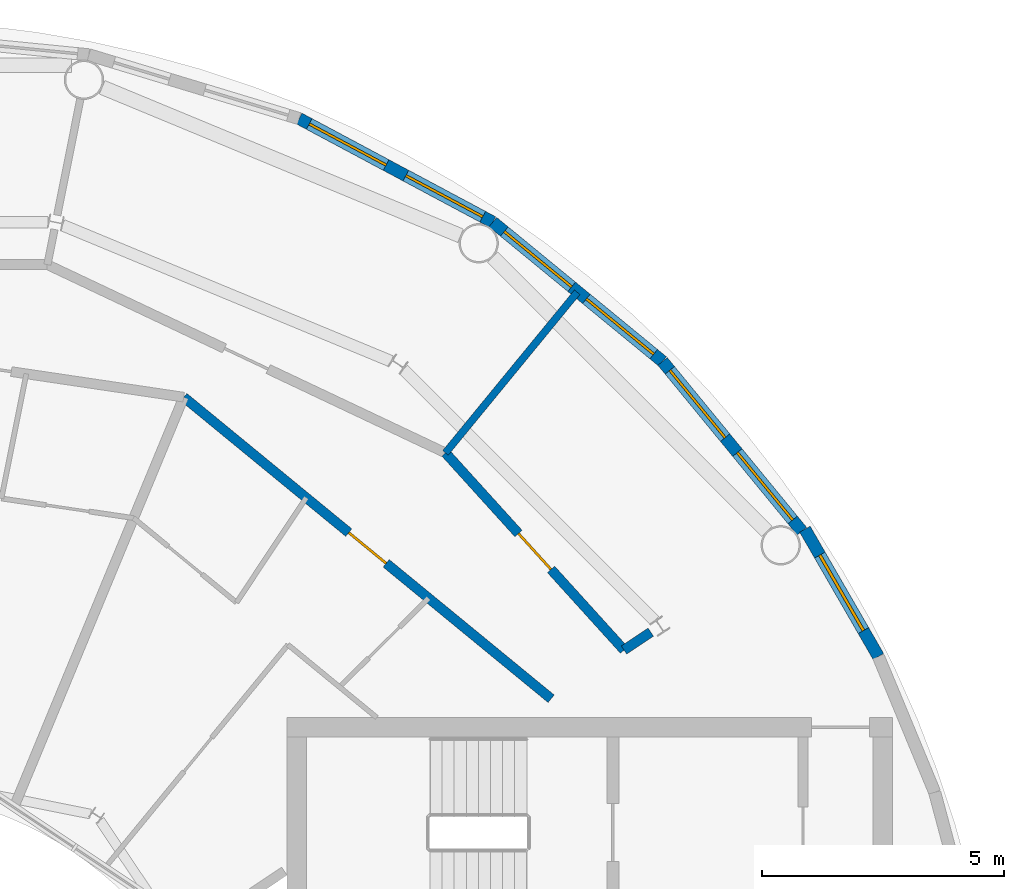
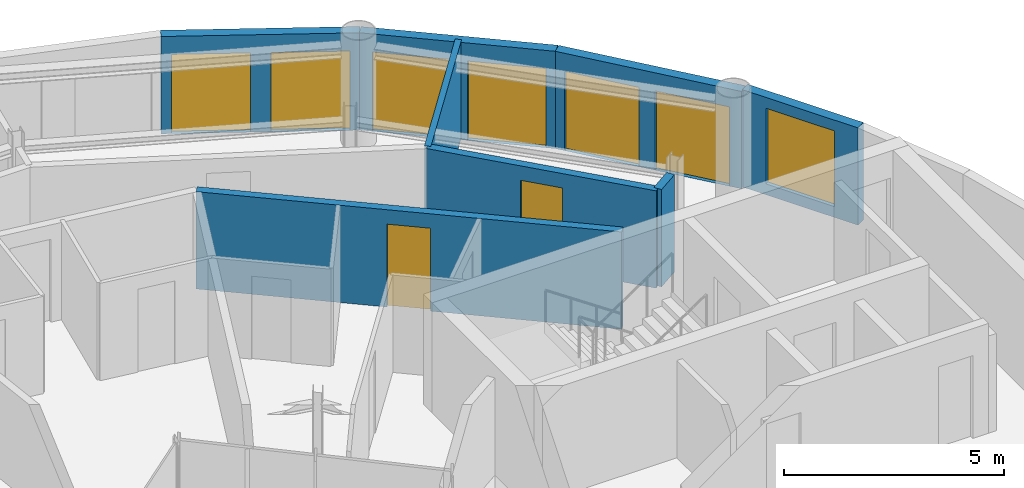
# One storey, part 14 of 17: 8 doors, 8 walls, 1 window, 9 openings.
"""IFC4 building model written with IfcOpenShell, lengths in metres."""

from ifc_helpers import new_model, si_unit, direction, frame, frame_2d, origin, place, context, subcontext, project, spatial, rectangle, extrude, material, layer, layer_set, type_object, element, fill, save


model = new_model("IFC4")

# Units and contexts
model_context = context("Model", 3, precision=1e-05, world=origin(), true_north=direction((0.0, 1.0)))
body_context = subcontext(model_context, "Body", "Model", "MODEL_VIEW")
ifc_project = project(units=[si_unit("LENGTHUNIT", "METRE"), si_unit("AREAUNIT", "SQUARE_METRE"), si_unit("VOLUMEUNIT", "CUBIC_METRE"), si_unit("PLANEANGLEUNIT", "RADIAN"), si_unit("MASSUNIT", "GRAM", prefix="KILO")], contexts=[model_context])

# Site, building, storey
site_placement = place(None, origin())
site = spatial("IfcSite", under=ifc_project, at=site_placement, CompositionType="ELEMENT")
building_placement = place(site_placement, origin())
building = spatial("IfcBuilding", under=site, at=building_placement, Name="Maasbend Ring Residences", CompositionType="ELEMENT")
storey_placement = place(building_placement, frame((0.0, 0.0, 249.300048828125)))
storey = spatial("IfcBuildingStorey", under=building, at=storey_placement, Name="L72", CompositionType="ELEMENT", Elevation=249.300048828125)

# Wall
ifc_material_1 = material(Name="Concrete C30/37", Category="concrete")
ifc_layer_1 = layer(ifc_material_1, 0.199951171875)
ifc_layer_set_1 = layer_set([ifc_layer_1], Name="Concrete C30/37")
wall_type_1 = type_object("IfcWallType", Name="CORRIDOR WALL 200 CONCRETE", PredefinedType="PARTITIONING", material=ifc_layer_set_1)
wall_1_placement = place(storey_placement, frame((15.556884765625, 10.39501953125, 0.0), z_axis=(0.0, 0.0, 1.0), x_axis=(0.831427465951, 0.555633304313, 0.0)))
element("IfcWall", 1, at=wall_1_placement, inside=storey, type_object=wall_type_1, Name="U-L72-w054", PredefinedType="PARTITIONING", context=body_context, shape_type="SweptSolid", body=[
    extrude(rectangle(XDim=0.663818359375, YDim=0.199951171875, at=frame_2d((0.33203125, 0.0))), origin(), (0.0, 0.0, 1.0), 2.699951171875),
])

# Wall, opening, door
wall_2_placement = place(storey_placement, frame((6.469970703125, 15.613037109375, 0.0), z_axis=(0.0, 0.0, 1.0), x_axis=(0.77292501819, -0.634497372931, 0.0)))
wall_2 = element("IfcWall", 2, at=wall_2_placement, inside=storey, type_object=wall_type_1, Name="U-L72-w064", PredefinedType="PARTITIONING", context=body_context, shape_type="SweptSolid", body=[
    extrude(rectangle(XDim=9.8095703125, YDim=0.199951171875, at=frame_2d((4.90478515625, 0.0))), origin(), (0.0, 0.0, 1.0), 2.699951171875),
])
opening_1_placement = place(wall_2_placement, frame((4.404052734375, 0.0, 0.0)))
opening_1 = element("IfcOpeningElement", 3, at=opening_1_placement, cuts=wall_2, Name="Opening D-7211", PredefinedType="OPENING", context=body_context, shape_type="SweptSolid", body=[
    extrude(rectangle(XDim=1.0, YDim=2.300048828125, at=frame_2d((0.5, 1.14990234375))), frame((0.0, 0.10986328125, 0.0), z_axis=(0.0, -1.0, 0.0), x_axis=(1.0, 0.0, 0.0)), (0.0, 0.0, 1.0), 0.219970703125),
])
ifc_material_2 = material(Name="Timber, fire-rated, painted", Category="wood")
door_type_1 = type_object("IfcDoorType", Name="FLAT ENTRANCE DOOR 1000 X 2300 FIRE-RATED", OperationType="NOTDEFINED", PredefinedType="DOOR", material=ifc_material_2)
door_1_placement = place(opening_1_placement, origin())
door_1 = element("IfcDoor", 4, at=door_1_placement, inside=storey, type_object=door_type_1, Name="D-7211", OperationType="SINGLE_SWING_LEFT", OverallHeight=2.300048828125, OverallWidth=1.0, PredefinedType="DOOR", context=body_context, shape_type="SweptSolid", body=[
    extrude(rectangle(XDim=1.0, YDim=2.300048828125, at=frame_2d((0.5, 1.14990234375))), frame((0.0, 0.02490234375, 0.0), z_axis=(0.0, -1.0, 0.0), x_axis=(1.0, 0.0, 0.0)), (0.0, 0.0, 1.0), 0.050048828125),
])
fill(opening_1, door_1)

wall_3_placement = place(storey_placement, frame((11.8701171875, 14.464111328125, 0.0), z_axis=(0.0, 0.0, 1.0), x_axis=(0.671434738137, -0.741063689856, 0.0)))
wall_3 = element("IfcWall", 5, at=wall_3_placement, inside=storey, type_object=wall_type_1, Name="U-L72-w070", PredefinedType="PARTITIONING", context=body_context, shape_type="SweptSolid", body=[
    extrude(rectangle(XDim=5.490966796875, YDim=0.199951171875, at=frame_2d((2.74560546875, 0.0))), origin(), (0.0, 0.0, 1.0), 2.699951171875),
])
opening_2_placement = place(wall_3_placement, frame((2.2451171875, 0.0, 0.0)))
opening_2 = element("IfcOpeningElement", 6, at=opening_2_placement, cuts=wall_3, Name="Opening D-7201", PredefinedType="OPENING", context=body_context, shape_type="SweptSolid", body=[
    extrude(rectangle(XDim=1.0, YDim=2.300048828125, at=frame_2d((0.5, 1.14990234375))), frame((0.0, 0.10986328125, 0.0), z_axis=(0.0, -1.0, 0.0), x_axis=(1.0, 0.0, 0.0)), (0.0, 0.0, 1.0), 0.219970703125),
])
ifc_material_3 = material(Name="Timber, painted", Category="wood")
door_type_2 = type_object("IfcDoorType", Name="ROOM DOOR 1000 X 2300", OperationType="NOTDEFINED", PredefinedType="DOOR", material=ifc_material_3)
door_2_placement = place(opening_2_placement, origin())
door_2 = element("IfcDoor", 7, at=door_2_placement, inside=storey, type_object=door_type_2, Name="D-7201", OperationType="SINGLE_SWING_LEFT", OverallHeight=2.300048828125, OverallWidth=1.0, PredefinedType="DOOR", context=body_context, shape_type="SweptSolid", body=[
    extrude(rectangle(XDim=1.0, YDim=2.300048828125, at=frame_2d((0.5, 1.14990234375))), frame((0.0, 0.02490234375, 0.0), z_axis=(0.0, -1.0, 0.0), x_axis=(1.0, 0.0, 0.0)), (0.0, 0.0, 1.0), 0.050048828125),
])
fill(opening_2, door_2)

# Wall, openings, doors
ifc_material_4 = material(Name="Aluminium clad insulated panel", Category="aluminium")
ifc_layer_2 = layer(ifc_material_4, 0.25)
ifc_layer_set_2 = layer_set([ifc_layer_2], Name="EW-GL")
wall_type_2 = type_object("IfcWallType", Name="EW-GL", PredefinedType="SOLIDWALL", material=ifc_layer_set_2)
wall_4_placement = place(storey_placement, frame((19.22802734375, 12.847900390625, 0.0), z_axis=(0.0, 0.0, 1.0), x_axis=(-0.634418942337, 0.772989395532, 0.0)))
wall_4 = element("IfcWall", 8, at=wall_4_placement, inside=storey, type_object=wall_type_2, Name="External wall N01", PredefinedType="SOLIDWALL", context=body_context, shape_type="SweptSolid", body=[
    extrude(rectangle(XDim=4.533203125, YDim=0.25, at=frame_2d((2.2666015625, 0.0))), origin(), (0.0, 0.0, 1.0), 2.699951171875),
])
opening_3_placement = place(wall_4_placement, frame((0.300048828125, 0.0, 0.0)))
opening_3 = element("IfcOpeningElement", 9, at=opening_3_placement, cuts=wall_4, Name="Opening D-TR", PredefinedType="OPENING", context=body_context, shape_type="SweptSolid", body=[
    extrude(rectangle(XDim=1.800048828125, YDim=2.199951171875, at=frame_2d((0.89990234375, 1.10009765625))), frame((0.0, 0.135009765625, 0.0), z_axis=(0.0, -1.0, 0.0), x_axis=(1.0, 0.0, 0.0)), (0.0, 0.0, 1.0), 0.27001953125),
])
opening_4_placement = place(wall_4_placement, frame((2.497314453125, 0.0, 0.0)))
opening_4 = element("IfcOpeningElement", 10, at=opening_4_placement, cuts=wall_4, Name="Opening D-TR", PredefinedType="OPENING", context=body_context, shape_type="SweptSolid", body=[
    extrude(rectangle(XDim=1.800048828125, YDim=2.199951171875, at=frame_2d((0.89990234375, 1.10009765625))), frame((0.0, 0.135009765625, 0.0), z_axis=(0.0, -1.0, 0.0), x_axis=(1.0, 0.0, 0.0)), (0.0, 0.0, 1.0), 0.27001953125),
])
ifc_material_5 = material(Name="Aluminium and clear glass", Category="aluminium")
door_type_3 = type_object("IfcDoorType", Name="D-TR", OperationType="DOUBLE_DOOR_SINGLE_SWING", PredefinedType="DOOR", material=ifc_material_5)
door_3_placement = place(opening_3_placement, origin())
door_3 = element("IfcDoor", 11, at=door_3_placement, inside=storey, type_object=door_type_3, Name="Terrace door N01", OperationType="SINGLE_SWING_LEFT", OverallHeight=2.199951171875, OverallWidth=1.800048828125, PredefinedType="DOOR", context=body_context, shape_type="SweptSolid", body=[
    extrude(rectangle(XDim=1.800048828125, YDim=2.199951171875, at=frame_2d((0.89990234375, 1.10009765625))), frame((0.0, 0.02490234375, 0.0), z_axis=(0.0, -1.0, 0.0), x_axis=(1.0, 0.0, 0.0)), (0.0, 0.0, 1.0), 0.050048828125),
])
fill(opening_3, door_3)
door_4_placement = place(opening_4_placement, origin())
door_4 = element("IfcDoor", 12, at=door_4_placement, inside=storey, type_object=door_type_3, Name="Terrace door N02", OperationType="SINGLE_SWING_LEFT", OverallHeight=2.199951171875, OverallWidth=1.800048828125, PredefinedType="DOOR", context=body_context, shape_type="SweptSolid", body=[
    extrude(rectangle(XDim=1.800048828125, YDim=2.199951171875, at=frame_2d((0.89990234375, 1.10009765625))), frame((0.0, 0.02490234375, 0.0), z_axis=(0.0, -1.0, 0.0), x_axis=(1.0, 0.0, 0.0)), (0.0, 0.0, 1.0), 0.050048828125),
])
fill(opening_4, door_4)

wall_5_placement = place(storey_placement, frame((16.35205078125, 16.35205078125, 0.0), z_axis=(0.0, 0.0, 1.0), x_axis=(-0.772989395532, 0.634418942337, 0.0)))
wall_5 = element("IfcWall", 13, at=wall_5_placement, inside=storey, type_object=wall_type_2, Name="External wall N02", PredefinedType="SOLIDWALL", context=body_context, shape_type="SweptSolid", body=[
    extrude(rectangle(XDim=4.533203125, YDim=0.25, at=frame_2d((2.2666015625, 0.0))), origin(), (0.0, 0.0, 1.0), 2.699951171875),
])
opening_5_placement = place(wall_5_placement, frame((0.236083984375, 0.0, 0.0)))
opening_5 = element("IfcOpeningElement", 14, at=opening_5_placement, cuts=wall_5, Name="Opening D-TR", PredefinedType="OPENING", context=body_context, shape_type="SweptSolid", body=[
    extrude(rectangle(XDim=1.800048828125, YDim=2.199951171875, at=frame_2d((0.89990234375, 1.10009765625))), frame((0.0, 0.135009765625, 0.0), z_axis=(0.0, -1.0, 0.0), x_axis=(1.0, 0.0, 0.0)), (0.0, 0.0, 1.0), 0.27001953125),
])
opening_6_placement = place(wall_5_placement, frame((2.4267578125, 0.0, 0.0)))
opening_6 = element("IfcOpeningElement", 15, at=opening_6_placement, cuts=wall_5, Name="Opening D-TR", PredefinedType="OPENING", context=body_context, shape_type="SweptSolid", body=[
    extrude(rectangle(XDim=1.800048828125, YDim=2.199951171875, at=frame_2d((0.89990234375, 1.10009765625))), frame((0.0, 0.135009765625, 0.0), z_axis=(0.0, -1.0, 0.0), x_axis=(1.0, 0.0, 0.0)), (0.0, 0.0, 1.0), 0.27001953125),
])
door_5_placement = place(opening_5_placement, origin())
door_5 = element("IfcDoor", 16, at=door_5_placement, inside=storey, type_object=door_type_3, Name="Terrace door N03", OperationType="SINGLE_SWING_LEFT", OverallHeight=2.199951171875, OverallWidth=1.800048828125, PredefinedType="DOOR", context=body_context, shape_type="SweptSolid", body=[
    extrude(rectangle(XDim=1.800048828125, YDim=2.199951171875, at=frame_2d((0.89990234375, 1.10009765625))), frame((0.0, 0.02490234375, 0.0), z_axis=(0.0, -1.0, 0.0), x_axis=(1.0, 0.0, 0.0)), (0.0, 0.0, 1.0), 0.050048828125),
])
fill(opening_5, door_5)
door_6_placement = place(opening_6_placement, origin())
door_6 = element("IfcDoor", 17, at=door_6_placement, inside=storey, type_object=door_type_3, Name="Terrace door N04", OperationType="SINGLE_SWING_LEFT", OverallHeight=2.199951171875, OverallWidth=1.800048828125, PredefinedType="DOOR", context=body_context, shape_type="SweptSolid", body=[
    extrude(rectangle(XDim=1.800048828125, YDim=2.199951171875, at=frame_2d((0.89990234375, 1.10009765625))), frame((0.0, 0.02490234375, 0.0), z_axis=(0.0, -1.0, 0.0), x_axis=(1.0, 0.0, 0.0)), (0.0, 0.0, 1.0), 0.050048828125),
])
fill(opening_6, door_6)

wall_6_placement = place(storey_placement, frame((12.847900390625, 19.22802734375, 0.0), z_axis=(0.0, 0.0, 1.0), x_axis=(-0.881912752543, 0.471412660947, 0.0)))
wall_6 = element("IfcWall", 18, at=wall_6_placement, inside=storey, type_object=wall_type_2, Name="External wall N03", PredefinedType="SOLIDWALL", context=body_context, shape_type="SweptSolid", body=[
    extrude(rectangle(XDim=4.533203125, YDim=0.25, at=frame_2d((2.2666015625, 0.0))), origin(), (0.0, 0.0, 1.0), 2.699951171875),
])
opening_7_placement = place(wall_6_placement, frame((0.236083984375, 0.0, 0.0)))
opening_7 = element("IfcOpeningElement", 19, at=opening_7_placement, cuts=wall_6, Name="Opening D-TR", PredefinedType="OPENING", context=body_context, shape_type="SweptSolid", body=[
    extrude(rectangle(XDim=1.800048828125, YDim=2.199951171875, at=frame_2d((0.89990234375, 1.10009765625))), frame((0.0, 0.135009765625, 0.0), z_axis=(0.0, -1.0, 0.0), x_axis=(1.0, 0.0, 0.0)), (0.0, 0.0, 1.0), 0.27001953125),
])
opening_8_placement = place(wall_6_placement, frame((2.497314453125, 0.0, 0.0)))
opening_8 = element("IfcOpeningElement", 20, at=opening_8_placement, cuts=wall_6, Name="Opening D-TR", PredefinedType="OPENING", context=body_context, shape_type="SweptSolid", body=[
    extrude(rectangle(XDim=1.800048828125, YDim=2.199951171875, at=frame_2d((0.89990234375, 1.10009765625))), frame((0.0, 0.135009765625, 0.0), z_axis=(0.0, -1.0, 0.0), x_axis=(1.0, 0.0, 0.0)), (0.0, 0.0, 1.0), 0.27001953125),
])
door_7_placement = place(opening_7_placement, origin())
door_7 = element("IfcDoor", 21, at=door_7_placement, inside=storey, type_object=door_type_3, Name="Terrace door N05", OperationType="SINGLE_SWING_LEFT", OverallHeight=2.199951171875, OverallWidth=1.800048828125, PredefinedType="DOOR", context=body_context, shape_type="SweptSolid", body=[
    extrude(rectangle(XDim=1.800048828125, YDim=2.199951171875, at=frame_2d((0.89990234375, 1.10009765625))), frame((0.0, 0.02490234375, 0.0), z_axis=(0.0, -1.0, 0.0), x_axis=(1.0, 0.0, 0.0)), (0.0, 0.0, 1.0), 0.050048828125),
])
fill(opening_7, door_7)
door_8_placement = place(opening_8_placement, origin())
door_8 = element("IfcDoor", 22, at=door_8_placement, inside=storey, type_object=door_type_3, Name="Terrace door N06", OperationType="SINGLE_SWING_LEFT", OverallHeight=2.199951171875, OverallWidth=1.800048828125, PredefinedType="DOOR", context=body_context, shape_type="SweptSolid", body=[
    extrude(rectangle(XDim=1.800048828125, YDim=2.199951171875, at=frame_2d((0.89990234375, 1.10009765625))), frame((0.0, 0.02490234375, 0.0), z_axis=(0.0, -1.0, 0.0), x_axis=(1.0, 0.0, 0.0)), (0.0, 0.0, 1.0), 0.050048828125),
])
fill(opening_8, door_8)

# Wall, opening, window
ifc_material_6 = material(Name="Aluminium clad insulated panel", Category="aluminium")
ifc_layer_3 = layer(ifc_material_6, 0.25)
ifc_layer_set_3 = layer_set([ifc_layer_3], Name="EW-HORN")
wall_type_3 = type_object("IfcWallType", Name="EW-HORN", PredefinedType="SOLIDWALL", material=ifc_layer_set_3)
wall_7_placement = place(storey_placement, frame((20.806884765625, 10.260986328125, 0.0), z_axis=(0.0, 0.0, 1.0), x_axis=(-0.499903546559, 0.866081084043, 0.0)))
wall_7 = element("IfcWall", 23, at=wall_7_placement, inside=storey, type_object=wall_type_3, Name="Horn wall 1.9", PredefinedType="SOLIDWALL", context=body_context, shape_type="SweptSolid", body=[
    extrude(rectangle(XDim=3.0341796875, YDim=0.25, at=frame_2d((1.51708984375, 0.0))), origin(), (0.0, 0.0, 1.0), 2.699951171875),
])
opening_9_placement = place(wall_7_placement, frame((0.617431640625, 0.0, 0.300048828125)))
opening_9 = element("IfcOpeningElement", 24, at=opening_9_placement, cuts=wall_7, Name="Opening W-BX", PredefinedType="OPENING", context=body_context, shape_type="SweptSolid", body=[
    extrude(rectangle(XDim=1.800048828125, YDim=2.10009765625, at=frame_2d((0.89990234375, 1.050048828125))), frame((0.0, 0.135009765625, 0.0), z_axis=(0.0, -1.0, 0.0), x_axis=(1.0, 0.0, 0.0)), (0.0, 0.0, 1.0), 0.27001953125),
])
ifc_material_7 = material(Name="Aluminium and clear glass", Category="aluminium")
window_type = type_object("IfcWindowType", Name="W-BX", PartitioningType="DOUBLE_PANEL_VERTICAL", PredefinedType="WINDOW", material=ifc_material_7)
window_placement = place(opening_9_placement, origin())
window = element("IfcWindow", 25, at=window_placement, inside=storey, type_object=window_type, Name="Horn window 1.9", OverallHeight=2.10009765625, OverallWidth=1.800048828125, PartitioningType="SINGLE_PANEL", PredefinedType="WINDOW", context=body_context, shape_type="SweptSolid", body=[
    extrude(rectangle(XDim=1.800048828125, YDim=2.10009765625, at=frame_2d((0.89990234375, 1.050048828125))), frame((0.0, 0.030029296875, 0.0), z_axis=(0.0, -1.0, 0.0), x_axis=(1.0, 0.0, 0.0)), (0.0, 0.0, 1.0), 0.06005859375),
])
fill(opening_9, window)

# Wall
ifc_material_8 = material(Name="Gypsum board on steel studs", Category="steel")
ifc_layer_4 = layer(ifc_material_8, 0.14990234375)
ifc_layer_set_4 = layer_set([ifc_layer_4], Name="PARTITION 150 GYPSUM")
wall_type_4 = type_object("IfcWallType", Name="PARTITION 150 GYPSUM", PredefinedType="PARTITIONING", material=ifc_layer_set_4)
wall_8_placement = place(storey_placement, frame((11.8701171875, 14.464111328125, 0.0), z_axis=(0.0, 0.0, 1.0), x_axis=(0.634207563301, 0.773162833206, 0.0)))
element("IfcWall", 26, at=wall_8_placement, inside=storey, type_object=wall_type_4, Name="U-L72-w052", PredefinedType="PARTITIONING", context=body_context, shape_type="SweptSolid", body=[
    extrude(rectangle(XDim=4.288818359375, YDim=0.14990234375, at=frame_2d((2.14453125, 0.0))), origin(), (0.0, 0.0, 1.0), 2.699951171875),
])

save(model, "model.ifc")
